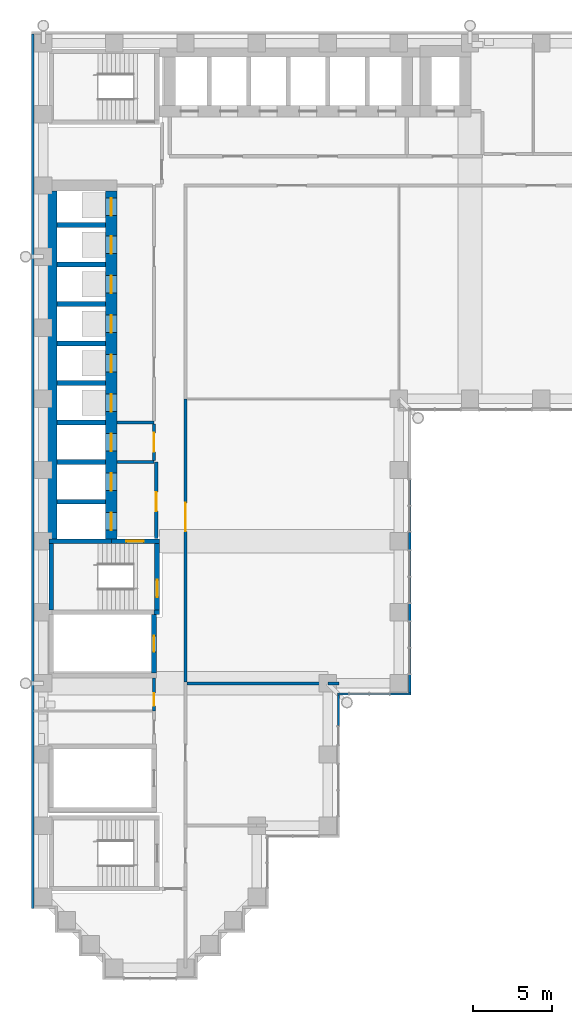
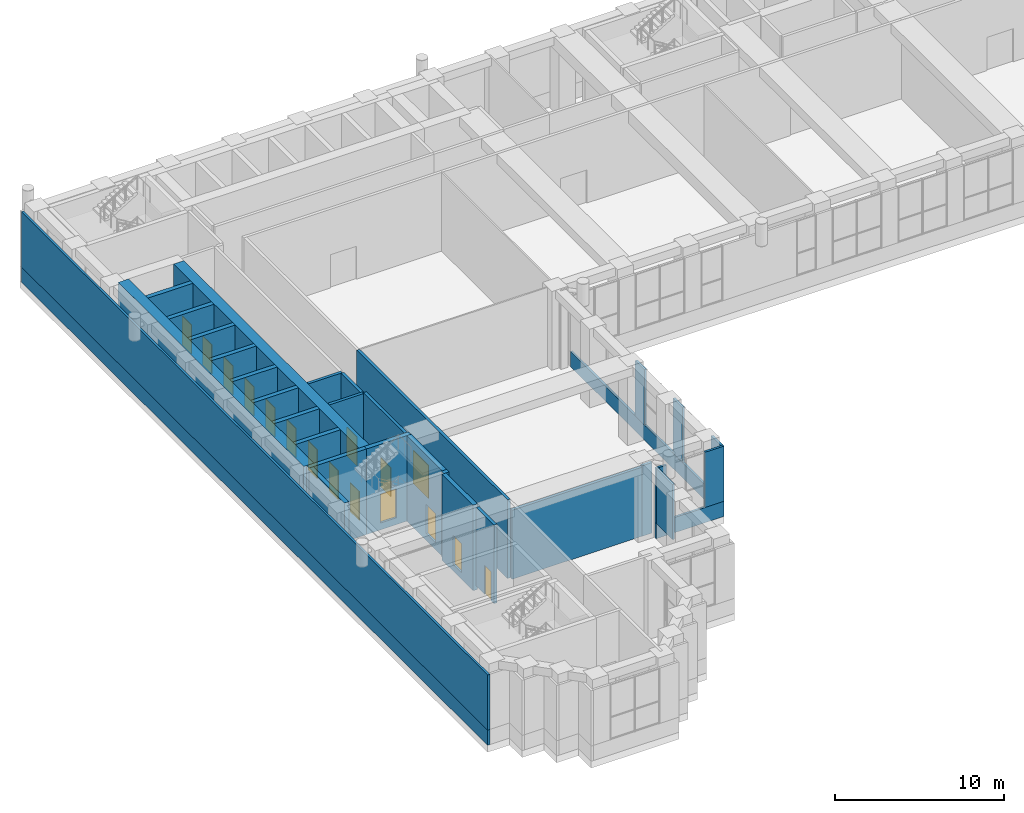
# One storey, part 14 of 22: 34 walls, 16 doors, 16 openings.
"""IFC4 building model written with IfcOpenShell, lengths in metres."""

from ifc_helpers import new_model, si_unit, direction, frame, frame_2d, origin, place, context, subcontext, project, spatial, rectangle, extrude, material, layer, layer_set, type_object, element, fill, save


model = new_model("IFC4")

# Units and contexts
model_context = context("Model", 3, precision=1e-05, world=origin(), true_north=direction((0.0, 1.0)))
body_context = subcontext(model_context, "Body", "Model", "MODEL_VIEW")
ifc_project = project(units=[si_unit("LENGTHUNIT", "METRE"), si_unit("AREAUNIT", "SQUARE_METRE"), si_unit("VOLUMEUNIT", "CUBIC_METRE"), si_unit("PLANEANGLEUNIT", "RADIAN"), si_unit("MASSUNIT", "GRAM", prefix="KILO")], contexts=[model_context])

# Site, building, storey
site_placement = place(None, origin())
site = spatial("IfcSite", under=ifc_project, at=site_placement, CompositionType="ELEMENT")
building_placement = place(site_placement, origin())
building = spatial("IfcBuilding", under=site, at=building_placement, Name="Firuza Court", CompositionType="ELEMENT")
storey_placement = place(building_placement, frame((0.0, 0.0, 113.60009765625)))
storey = spatial("IfcBuildingStorey", under=building, at=storey_placement, Name="L28", CompositionType="ELEMENT", Elevation=113.60009765625)

# Walls
ifc_material_1 = material(Name="Concrete C60/75", Category="concrete")
ifc_layer_1 = layer(ifc_material_1, 0.300048828125)
ifc_layer_set_1 = layer_set([ifc_layer_1], Name="Concrete C60/75")
wall_type_1 = type_object("IfcWallType", Name="Core wall 300 C60/75", PredefinedType="SHEAR", material=ifc_layer_set_1)
wall_1_placement = place(storey_placement, frame((0.35009765625, 27.0, -0.5), z_axis=(0.0, 0.0, 1.0), x_axis=(1.0, 0.0, 0.0)))
element("IfcWall", 1, at=wall_1_placement, inside=storey, type_object=wall_type_1, Name="Core wall lift shaft L28", PredefinedType="SHEAR", context=body_context, shape_type="SweptSolid", body=[
    extrude(rectangle(XDim=3.949951171875, YDim=0.300048828125, at=frame_2d((1.97509765625, 0.0))), origin(), (0.0, 0.0, 1.0), 6.199951171875),
])
wall_2_placement = place(storey_placement, frame((0.5, 22.64990234375, -0.5), z_axis=(0.0, 0.0, 1.0), x_axis=(0.0, 1.0, 0.0)))
element("IfcWall", 2, at=wall_2_placement, inside=storey, type_object=wall_type_1, Name="Core wall stair L28", PredefinedType="SHEAR", context=body_context, shape_type="SweptSolid", body=[
    extrude(rectangle(XDim=4.2001953125, YDim=0.300048828125, at=frame_2d((2.10009765625, 0.0))), origin(), (0.0, 0.0, 1.0), 6.199951171875),
])
for number, where, z_axis, x_axis, name in (
    (3, (0.85009765625, 29.5, -0.5), (0.0, 0.0, 1.0), (1.0, 0.0, 0.0), "Core wall lift shaft L28"),
    (4, (0.85009765625, 32.0, -0.5), (0.0, 0.0, 1.0), (1.0, 0.0, 0.0), "Core wall lift shaft L28"),
    (5, (0.85009765625, 34.5, -0.5), (0.0, 0.0, 1.0), (1.0, 0.0, 0.0), "Core wall lift shaft L28"),
    (6, (0.85009765625, 37.0, -0.5), (0.0, 0.0, 1.0), (1.0, 0.0, 0.0), "Core wall lift shaft L28"),
    (7, (0.85009765625, 39.5, -0.5), (0.0, 0.0, 1.0), (1.0, 0.0, 0.0), "Core wall lift shaft L28"),
    (8, (0.85009765625, 42.0, -0.5), (0.0, 0.0, 1.0), (1.0, 0.0, 0.0), "Core wall lift shaft L28"),
    (9, (0.85009765625, 44.5, -0.5), (0.0, 0.0, 1.0), (1.0, 0.0, 0.0), "Core wall lift shaft L28"),
    (10, (0.85009765625, 47.0, -0.5), (0.0, 0.0, 1.0), (1.0, 0.0, 0.0), "Core wall lift shaft L28"),
):
    element("IfcWall", number, at=place(storey_placement, frame(where, z_axis=z_axis, x_axis=x_axis)), inside=storey, type_object=wall_type_1, Name=name, PredefinedType="SHEAR", context=body_context, shape_type="SweptSolid", body=[
        extrude(rectangle(XDim=3.099853515625, YDim=0.300048828125, at=frame_2d((1.5498046875, 0.0))), origin(), (0.0, 0.0, 1.0), 6.199951171875),
    ])

# Wall, opening, door
wall_3_placement = place(storey_placement, frame((4.300048828125, 27.0, -0.5), z_axis=(0.0, 0.0, 1.0), x_axis=(1.0, 0.0, 0.0)))
wall_3 = element("IfcWall", 11, at=wall_3_placement, inside=storey, type_object=wall_type_1, Name="Core wall stair L28", PredefinedType="SHEAR", context=body_context, shape_type="SweptSolid", body=[
    extrude(rectangle(XDim=3.050048828125, YDim=0.300048828125, at=frame_2d((1.52490234375, 0.0))), origin(), (0.0, 0.0, 1.0), 6.199951171875),
])
opening_1_placement = place(wall_3_placement, frame((0.949951171875, 0.0, 0.5)))
opening_1 = element("IfcOpeningElement", 12, at=opening_1_placement, cuts=wall_3, Name="Opening D28016", PredefinedType="OPENING", context=body_context, shape_type="SweptSolid", body=[
    extrude(rectangle(XDim=1.10009765625, YDim=2.10009765625, at=frame_2d((0.550048828125, 1.050048828125))), frame((0.0, 0.162109375, 0.0), z_axis=(0.0, -1.0, 0.0), x_axis=(1.0, 0.0, 0.0)), (0.0, 0.0, 1.0), 0.323974609375),
])
ifc_material_2 = material(Name="Timber door leaf in hardwood frame", Category="wood")
door_type_1 = type_object("IfcDoorType", Name="Stair door 1100", OperationType="SINGLE_SWING_LEFT", PredefinedType="DOOR", material=ifc_material_2)
door_1_placement = place(opening_1_placement, frame((1.10009765625, 0.0, 0.0), z_axis=(0.0, 0.0, 1.0), x_axis=(-1.0, 0.0, 0.0)))
door_1 = element("IfcDoor", 13, at=door_1_placement, inside=storey, type_object=door_type_1, Name="Fire-fighting lobby door", OperationType="SINGLE_SWING_LEFT", OverallHeight=2.10009765625, OverallWidth=1.10009765625, PredefinedType="DOOR", context=body_context, shape_type="SweptSolid", body=[
    extrude(rectangle(XDim=1.10009765625, YDim=2.10009765625, at=frame_2d((0.550048828125, 1.050048828125))), frame((0.0, 0.02490234375, 0.0), z_axis=(0.0, -1.0, 0.0), x_axis=(1.0, 0.0, 0.0)), (0.0, 0.0, 1.0), 0.050048828125),
])
fill(opening_1, door_1)

wall_4_placement = place(storey_placement, frame((7.0, 18.64990234375, -0.5), z_axis=(0.0, 0.0, 1.0), x_axis=(0.0, 1.0, 0.0)))
wall_4 = element("IfcWall", 14, at=wall_4_placement, inside=storey, type_object=wall_type_1, Name="Core wall riser L28", PredefinedType="SHEAR", context=body_context, shape_type="SweptSolid", body=[
    extrude(rectangle(XDim=3.7001953125, YDim=0.300048828125, at=frame_2d((1.85009765625, 0.0))), origin(), (0.0, 0.0, 1.0), 6.199951171875),
])
opening_2_placement = place(wall_4_placement, frame((1.35009765625, 0.0, 0.5)))
opening_2 = element("IfcOpeningElement", 15, at=opening_2_placement, cuts=wall_4, Name="Opening D28012", PredefinedType="OPENING", context=body_context, shape_type="SweptSolid", body=[
    extrude(rectangle(XDim=1.0, YDim=2.10009765625, at=frame_2d((0.5, 1.050048828125))), frame((0.0, 0.162109375, 0.0), z_axis=(0.0, -1.0, 0.0), x_axis=(1.0, 0.0, 0.0)), (0.0, 0.0, 1.0), 0.323974609375),
])
ifc_material_3 = material(Name="Timber door leaf in hardwood frame", Category="wood")
door_type_2 = type_object("IfcDoorType", Name="Riser door 1000", OperationType="SINGLE_SWING_LEFT", PredefinedType="DOOR", material=ifc_material_3)
door_2_placement = place(opening_2_placement, origin())
door_2 = element("IfcDoor", 16, at=door_2_placement, inside=storey, type_object=door_type_2, Name="Riser door R1", OperationType="SINGLE_SWING_LEFT", OverallHeight=2.10009765625, OverallWidth=1.0, PredefinedType="DOOR", context=body_context, shape_type="SweptSolid", body=[
    extrude(rectangle(XDim=1.0, YDim=2.10009765625, at=frame_2d((0.5, 1.050048828125))), frame((0.0, 0.02490234375, 0.0), z_axis=(0.0, -1.0, 0.0), x_axis=(1.0, 0.0, 0.0)), (0.0, 0.0, 1.0), 0.050048828125),
])
fill(opening_2, door_2)

# Wall
wall_5_placement = place(storey_placement, frame((7.0, 22.5, -0.5), z_axis=(0.0, 0.0, 1.0), x_axis=(1.0, 0.0, 0.0)))
element("IfcWall", 17, at=wall_5_placement, inside=storey, type_object=wall_type_1, Name="Core wall stair L28", PredefinedType="SHEAR", context=body_context, shape_type="SweptSolid", body=[
    extrude(rectangle(XDim=0.35009765625, YDim=0.300048828125, at=frame_2d((0.175048828125, 0.0))), origin(), (0.0, 0.0, 1.0), 6.199951171875),
])

# Wall, opening, door
wall_6_placement = place(storey_placement, frame((7.199951171875, 22.64990234375, -0.5), z_axis=(0.0, 0.0, 1.0), x_axis=(0.0, 1.0, 0.0)))
wall_6 = element("IfcWall", 18, at=wall_6_placement, inside=storey, type_object=wall_type_1, Name="Core wall stair L28", PredefinedType="SHEAR", context=body_context, shape_type="SweptSolid", body=[
    extrude(rectangle(XDim=4.2001953125, YDim=0.300048828125, at=frame_2d((2.10009765625, 0.0))), origin(), (0.0, 0.0, 1.0), 6.199951171875),
])
opening_3_placement = place(wall_6_placement, frame((0.800048828125, 0.0, 0.5)))
opening_3 = element("IfcOpeningElement", 19, at=opening_3_placement, cuts=wall_6, Name="Opening D28017", PredefinedType="OPENING", context=body_context, shape_type="SweptSolid", body=[
    extrude(rectangle(XDim=1.10009765625, YDim=2.10009765625, at=frame_2d((0.550048828125, 1.050048828125))), frame((0.0, 0.162109375, 0.0), z_axis=(0.0, -1.0, 0.0), x_axis=(1.0, 0.0, 0.0)), (0.0, 0.0, 1.0), 0.323974609375),
])
door_3_placement = place(opening_3_placement, origin())
door_3 = element("IfcDoor", 20, at=door_3_placement, inside=storey, type_object=door_type_1, Name="Stair door S2", OperationType="SINGLE_SWING_LEFT", OverallHeight=2.10009765625, OverallWidth=1.10009765625, PredefinedType="DOOR", context=body_context, shape_type="SweptSolid", body=[
    extrude(rectangle(XDim=1.10009765625, YDim=2.10009765625, at=frame_2d((0.550048828125, 1.050048828125))), frame((0.0, 0.02490234375, 0.0), z_axis=(0.0, -1.0, 0.0), x_axis=(1.0, 0.0, 0.0)), (0.0, 0.0, 1.0), 0.050048828125),
])
fill(opening_3, door_3)

# Wall
ifc_layer_2 = layer(ifc_material_1, 0.699951171875)
ifc_layer_set_2 = layer_set([ifc_layer_2], Name="Concrete C60/75")
wall_type_2 = type_object("IfcWallType", Name="Core wall 700 C60/75", PredefinedType="SHEAR", material=ifc_layer_set_2)
wall_7_placement = place(storey_placement, frame((0.5, 27.14990234375, -0.5), z_axis=(0.0, 0.0, 1.0), x_axis=(0.0, 1.0, 0.0)))
element("IfcWall", 21, at=wall_7_placement, inside=storey, type_object=wall_type_2, Name="Core wall lift shaft L28", PredefinedType="SHEAR", context=body_context, shape_type="SweptSolid", body=[
    extrude(rectangle(XDim=22.0, YDim=0.699951171875, at=frame_2d((11.0, 0.0))), origin(), (0.0, 0.0, 1.0), 6.199951171875),
])

# Wall, openings, doors
wall_8_placement = place(storey_placement, frame((4.300048828125, 27.14990234375, -0.5), z_axis=(0.0, 0.0, 1.0), x_axis=(0.0, 1.0, 0.0)))
wall_8 = element("IfcWall", 22, at=wall_8_placement, inside=storey, type_object=wall_type_2, Name="Core wall lift shaft L28", PredefinedType="SHEAR", context=body_context, shape_type="SweptSolid", body=[
    extrude(rectangle(XDim=22.0, YDim=0.699951171875, at=frame_2d((11.0, 0.0))), origin(), (0.0, 0.0, 1.0), 6.199951171875),
])
opening_4_placement = place(wall_8_placement, frame((3.050048828125, 0.0, 0.5)))
opening_4 = element("IfcOpeningElement", 23, at=opening_4_placement, cuts=wall_8, Name="Opening LD-FL1-28", PredefinedType="OPENING", context=body_context, shape_type="SweptSolid", body=[
    extrude(rectangle(XDim=1.10009765625, YDim=2.10009765625, at=frame_2d((0.550048828125, 1.050048828125))), frame((0.0, 0.36181640625, 0.0), z_axis=(0.0, -1.0, 0.0), x_axis=(1.0, 0.0, 0.0)), (0.0, 0.0, 1.0), 0.723876953125),
])
opening_5_placement = place(wall_8_placement, frame((0.550048828125, 0.0, 0.5)))
opening_5 = element("IfcOpeningElement", 24, at=opening_5_placement, cuts=wall_8, Name="Opening LD-FL2-28", PredefinedType="OPENING", context=body_context, shape_type="SweptSolid", body=[
    extrude(rectangle(XDim=1.10009765625, YDim=2.10009765625, at=frame_2d((0.550048828125, 1.050048828125))), frame((0.0, 0.36181640625, 0.0), z_axis=(0.0, -1.0, 0.0), x_axis=(1.0, 0.0, 0.0)), (0.0, 0.0, 1.0), 0.723876953125),
])
opening_6_placement = place(wall_8_placement, frame((20.449951171875, 0.0, 0.5)))
opening_6 = element("IfcOpeningElement", 25, at=opening_6_placement, cuts=wall_8, Name="Opening LD-HB1-28", PredefinedType="OPENING", context=body_context, shape_type="SweptSolid", body=[
    extrude(rectangle(XDim=1.10009765625, YDim=2.10009765625, at=frame_2d((0.550048828125, 1.050048828125))), frame((0.0, 0.36181640625, 0.0), z_axis=(0.0, -1.0, 0.0), x_axis=(1.0, 0.0, 0.0)), (0.0, 0.0, 1.0), 0.723876953125),
])
opening_7_placement = place(wall_8_placement, frame((18.050048828125, 0.0, 0.5)))
opening_7 = element("IfcOpeningElement", 26, at=opening_7_placement, cuts=wall_8, Name="Opening LD-HB2-28", PredefinedType="OPENING", context=body_context, shape_type="SweptSolid", body=[
    extrude(rectangle(XDim=1.10009765625, YDim=2.10009765625, at=frame_2d((0.550048828125, 1.050048828125))), frame((0.0, 0.36181640625, 0.0), z_axis=(0.0, -1.0, 0.0), x_axis=(1.0, 0.0, 0.0)), (0.0, 0.0, 1.0), 0.723876953125),
])
opening_8_placement = place(wall_8_placement, frame((15.550048828125, 0.0, 0.5)))
opening_8 = element("IfcOpeningElement", 27, at=opening_8_placement, cuts=wall_8, Name="Opening LD-HB3-28", PredefinedType="OPENING", context=body_context, shape_type="SweptSolid", body=[
    extrude(rectangle(XDim=1.10009765625, YDim=2.10009765625, at=frame_2d((0.550048828125, 1.050048828125))), frame((0.0, 0.36181640625, 0.0), z_axis=(0.0, -1.0, 0.0), x_axis=(1.0, 0.0, 0.0)), (0.0, 0.0, 1.0), 0.723876953125),
])
opening_9_placement = place(wall_8_placement, frame((13.050048828125, 0.0, 0.5)))
opening_9 = element("IfcOpeningElement", 28, at=opening_9_placement, cuts=wall_8, Name="Opening LD-HB4-28", PredefinedType="OPENING", context=body_context, shape_type="SweptSolid", body=[
    extrude(rectangle(XDim=1.10009765625, YDim=2.10009765625, at=frame_2d((0.550048828125, 1.050048828125))), frame((0.0, 0.36181640625, 0.0), z_axis=(0.0, -1.0, 0.0), x_axis=(1.0, 0.0, 0.0)), (0.0, 0.0, 1.0), 0.723876953125),
])
opening_10_placement = place(wall_8_placement, frame((10.550048828125, 0.0, 0.5)))
opening_10 = element("IfcOpeningElement", 29, at=opening_10_placement, cuts=wall_8, Name="Opening LD-HB5-28", PredefinedType="OPENING", context=body_context, shape_type="SweptSolid", body=[
    extrude(rectangle(XDim=1.10009765625, YDim=2.10009765625, at=frame_2d((0.550048828125, 1.050048828125))), frame((0.0, 0.36181640625, 0.0), z_axis=(0.0, -1.0, 0.0), x_axis=(1.0, 0.0, 0.0)), (0.0, 0.0, 1.0), 0.723876953125),
])
opening_11_placement = place(wall_8_placement, frame((8.050048828125, 0.0, 0.5)))
opening_11 = element("IfcOpeningElement", 30, at=opening_11_placement, cuts=wall_8, Name="Opening LD-HB6-28", PredefinedType="OPENING", context=body_context, shape_type="SweptSolid", body=[
    extrude(rectangle(XDim=1.10009765625, YDim=2.10009765625, at=frame_2d((0.550048828125, 1.050048828125))), frame((0.0, 0.36181640625, 0.0), z_axis=(0.0, -1.0, 0.0), x_axis=(1.0, 0.0, 0.0)), (0.0, 0.0, 1.0), 0.723876953125),
])
opening_12_placement = place(wall_8_placement, frame((5.550048828125, 0.0, 0.5)))
opening_12 = element("IfcOpeningElement", 31, at=opening_12_placement, cuts=wall_8, Name="Opening LD-SL1-28", PredefinedType="OPENING", context=body_context, shape_type="SweptSolid", body=[
    extrude(rectangle(XDim=1.10009765625, YDim=2.10009765625, at=frame_2d((0.550048828125, 1.050048828125))), frame((0.0, 0.36181640625, 0.0), z_axis=(0.0, -1.0, 0.0), x_axis=(1.0, 0.0, 0.0)), (0.0, 0.0, 1.0), 0.723876953125),
])
ifc_material_4 = material(Name="Stainless steel 1.4301 door leaf", Category="steel")
door_type_3 = type_object("IfcDoorType", Name="Lift landing door 1100", OperationType="SLIDING_TO_LEFT", PredefinedType="DOOR", material=ifc_material_4)
door_4_placement = place(opening_4_placement, origin())
door_4 = element("IfcDoor", 32, at=door_4_placement, inside=storey, type_object=door_type_3, Name="Landing door FL1", OperationType="SLIDING_TO_LEFT", OverallHeight=2.10009765625, OverallWidth=1.10009765625, PredefinedType="DOOR", context=body_context, shape_type="SweptSolid", body=[
    extrude(rectangle(XDim=1.10009765625, YDim=2.10009765625, at=frame_2d((0.550048828125, 1.050048828125))), frame((0.0, 0.02490234375, 0.0), z_axis=(0.0, -1.0, 0.0), x_axis=(1.0, 0.0, 0.0)), (0.0, 0.0, 1.0), 0.050048828125),
])
fill(opening_4, door_4)
door_5_placement = place(opening_5_placement, origin())
door_5 = element("IfcDoor", 33, at=door_5_placement, inside=storey, type_object=door_type_3, Name="Landing door FL2", OperationType="SLIDING_TO_LEFT", OverallHeight=2.10009765625, OverallWidth=1.10009765625, PredefinedType="DOOR", context=body_context, shape_type="SweptSolid", body=[
    extrude(rectangle(XDim=1.10009765625, YDim=2.10009765625, at=frame_2d((0.550048828125, 1.050048828125))), frame((0.0, 0.02490234375, 0.0), z_axis=(0.0, -1.0, 0.0), x_axis=(1.0, 0.0, 0.0)), (0.0, 0.0, 1.0), 0.050048828125),
])
fill(opening_5, door_5)
door_6_placement = place(opening_6_placement, origin())
door_6 = element("IfcDoor", 34, at=door_6_placement, inside=storey, type_object=door_type_3, Name="Landing door HB1", OperationType="SLIDING_TO_LEFT", OverallHeight=2.10009765625, OverallWidth=1.10009765625, PredefinedType="DOOR", context=body_context, shape_type="SweptSolid", body=[
    extrude(rectangle(XDim=1.10009765625, YDim=2.10009765625, at=frame_2d((0.550048828125, 1.050048828125))), frame((0.0, 0.02490234375, 0.0), z_axis=(0.0, -1.0, 0.0), x_axis=(1.0, 0.0, 0.0)), (0.0, 0.0, 1.0), 0.050048828125),
])
fill(opening_6, door_6)
door_7_placement = place(opening_7_placement, origin())
door_7 = element("IfcDoor", 35, at=door_7_placement, inside=storey, type_object=door_type_3, Name="Landing door HB2", OperationType="SLIDING_TO_LEFT", OverallHeight=2.10009765625, OverallWidth=1.10009765625, PredefinedType="DOOR", context=body_context, shape_type="SweptSolid", body=[
    extrude(rectangle(XDim=1.10009765625, YDim=2.10009765625, at=frame_2d((0.550048828125, 1.050048828125))), frame((0.0, 0.02490234375, 0.0), z_axis=(0.0, -1.0, 0.0), x_axis=(1.0, 0.0, 0.0)), (0.0, 0.0, 1.0), 0.050048828125),
])
fill(opening_7, door_7)
door_8_placement = place(opening_8_placement, origin())
door_8 = element("IfcDoor", 36, at=door_8_placement, inside=storey, type_object=door_type_3, Name="Landing door HB3", OperationType="SLIDING_TO_LEFT", OverallHeight=2.10009765625, OverallWidth=1.10009765625, PredefinedType="DOOR", context=body_context, shape_type="SweptSolid", body=[
    extrude(rectangle(XDim=1.10009765625, YDim=2.10009765625, at=frame_2d((0.550048828125, 1.050048828125))), frame((0.0, 0.02490234375, 0.0), z_axis=(0.0, -1.0, 0.0), x_axis=(1.0, 0.0, 0.0)), (0.0, 0.0, 1.0), 0.050048828125),
])
fill(opening_8, door_8)
door_9_placement = place(opening_9_placement, origin())
door_9 = element("IfcDoor", 37, at=door_9_placement, inside=storey, type_object=door_type_3, Name="Landing door HB4", OperationType="SLIDING_TO_LEFT", OverallHeight=2.10009765625, OverallWidth=1.10009765625, PredefinedType="DOOR", context=body_context, shape_type="SweptSolid", body=[
    extrude(rectangle(XDim=1.10009765625, YDim=2.10009765625, at=frame_2d((0.550048828125, 1.050048828125))), frame((0.0, 0.02490234375, 0.0), z_axis=(0.0, -1.0, 0.0), x_axis=(1.0, 0.0, 0.0)), (0.0, 0.0, 1.0), 0.050048828125),
])
fill(opening_9, door_9)
door_10_placement = place(opening_10_placement, origin())
door_10 = element("IfcDoor", 38, at=door_10_placement, inside=storey, type_object=door_type_3, Name="Landing door HB5", OperationType="SLIDING_TO_LEFT", OverallHeight=2.10009765625, OverallWidth=1.10009765625, PredefinedType="DOOR", context=body_context, shape_type="SweptSolid", body=[
    extrude(rectangle(XDim=1.10009765625, YDim=2.10009765625, at=frame_2d((0.550048828125, 1.050048828125))), frame((0.0, 0.02490234375, 0.0), z_axis=(0.0, -1.0, 0.0), x_axis=(1.0, 0.0, 0.0)), (0.0, 0.0, 1.0), 0.050048828125),
])
fill(opening_10, door_10)
door_11_placement = place(opening_11_placement, origin())
door_11 = element("IfcDoor", 39, at=door_11_placement, inside=storey, type_object=door_type_3, Name="Landing door HB6", OperationType="SLIDING_TO_LEFT", OverallHeight=2.10009765625, OverallWidth=1.10009765625, PredefinedType="DOOR", context=body_context, shape_type="SweptSolid", body=[
    extrude(rectangle(XDim=1.10009765625, YDim=2.10009765625, at=frame_2d((0.550048828125, 1.050048828125))), frame((0.0, 0.02490234375, 0.0), z_axis=(0.0, -1.0, 0.0), x_axis=(1.0, 0.0, 0.0)), (0.0, 0.0, 1.0), 0.050048828125),
])
fill(opening_11, door_11)
door_12_placement = place(opening_12_placement, origin())
door_12 = element("IfcDoor", 40, at=door_12_placement, inside=storey, type_object=door_type_3, Name="Landing door SL1", OperationType="SLIDING_TO_LEFT", OverallHeight=2.10009765625, OverallWidth=1.10009765625, PredefinedType="DOOR", context=body_context, shape_type="SweptSolid", body=[
    extrude(rectangle(XDim=1.10009765625, YDim=2.10009765625, at=frame_2d((0.550048828125, 1.050048828125))), frame((0.0, 0.02490234375, 0.0), z_axis=(0.0, -1.0, 0.0), x_axis=(1.0, 0.0, 0.0)), (0.0, 0.0, 1.0), 0.050048828125),
])
fill(opening_12, door_12)

# Wall, opening, door
ifc_material_5 = material(Name="Blockwork, plastered both sides", Category="masonry")
ifc_layer_3 = layer(ifc_material_5, 0.199951171875)
ifc_layer_set_3 = layer_set([ifc_layer_3], Name="Blockwork, plastered both sides")
wall_type_3 = type_object("IfcWallType", Name="Corridor wall 200", PredefinedType="PARTITIONING", material=ifc_layer_set_3)
wall_9_placement = place(storey_placement, frame((9.0, 18.10009765625, 0.0), z_axis=(0.0, 0.0, 1.0), x_axis=(0.0, 1.0, 0.0)))
wall_9 = element("IfcWall", 41, at=wall_9_placement, inside=storey, type_object=wall_type_3, Name="Corridor wall 200 L28", PredefinedType="PARTITIONING", context=body_context, shape_type="SweptSolid", body=[
    extrude(rectangle(XDim=17.89990234375, YDim=0.199951171875, at=frame_2d((8.949951171875, 0.0))), origin(), (0.0, 0.0, 1.0), 5.699951171875),
])
opening_13_placement = place(wall_9_placement, frame((9.52490234375, 0.0, 0.0)))
opening_13 = element("IfcOpeningElement", 42, at=opening_13_placement, cuts=wall_9, Name="Opening D28025", PredefinedType="OPENING", context=body_context, shape_type="SweptSolid", body=[
    extrude(rectangle(XDim=1.800048828125, YDim=2.39990234375, at=frame_2d((0.89990234375, 1.199951171875))), frame((0.0, 0.11181640625, 0.0), z_axis=(0.0, -1.0, 0.0), x_axis=(1.0, 0.0, 0.0)), (0.0, 0.0, 1.0), 0.223876953125),
])
ifc_material_6 = material(Name="Timber door leaf in hardwood frame", Category="wood")
door_type_4 = type_object("IfcDoorType", Name="Double door 1800 EI 30", OperationType="DOUBLE_DOOR_SINGLE_SWING", PredefinedType="DOOR", material=ifc_material_6)
door_13_placement = place(opening_13_placement, origin())
door_13 = element("IfcDoor", 43, at=door_13_placement, inside=storey, type_object=door_type_4, Name="Double door", OperationType="DOUBLE_DOOR_SINGLE_SWING", OverallHeight=2.39990234375, OverallWidth=1.800048828125, PredefinedType="DOOR", context=body_context, shape_type="SweptSolid", body=[
    extrude(rectangle(XDim=1.800048828125, YDim=2.39990234375, at=frame_2d((0.89990234375, 1.199951171875))), frame((0.0, 0.02490234375, 0.0), z_axis=(0.0, -1.0, 0.0), x_axis=(1.0, 0.0, 0.0)), (0.0, 0.0, 1.0), 0.050048828125),
])
fill(opening_13, door_13)

wall_10_placement = place(storey_placement, frame((7.0, 18.35009765625, 0.0), z_axis=(0.0, 0.0, 1.0), x_axis=(0.0, -1.0, 0.0)))
wall_10 = element("IfcWall", 44, at=wall_10_placement, inside=storey, type_object=wall_type_3, Name="Corridor wall 200 L28", PredefinedType="PARTITIONING", context=body_context, shape_type="SweptSolid", body=[
    extrude(rectangle(XDim=2.10009765625, YDim=0.199951171875, at=frame_2d((1.050048828125, 0.0))), origin(), (0.0, 0.0, 1.0), 5.699951171875),
])
opening_14_placement = place(wall_10_placement, frame((0.97509765625, 0.0, 0.0)))
opening_14 = element("IfcOpeningElement", 45, at=opening_14_placement, cuts=wall_10, Name="Opening D28026", PredefinedType="OPENING", context=body_context, shape_type="SweptSolid", body=[
    extrude(rectangle(XDim=0.800048828125, YDim=2.10009765625, at=frame_2d((0.39990234375, 1.050048828125))), frame((0.0, 0.11181640625, 0.0), z_axis=(0.0, -1.0, 0.0), x_axis=(1.0, 0.0, 0.0)), (0.0, 0.0, 1.0), 0.223876953125),
])
ifc_material_7 = material(Name="Timber door leaf in hardwood frame", Category="wood")
door_type_5 = type_object("IfcDoorType", Name="Room door 800 EI 30", OperationType="SINGLE_SWING_LEFT", PredefinedType="DOOR", material=ifc_material_7)
door_14_placement = place(opening_14_placement, frame((0.800048828125, 0.0, 0.0), z_axis=(0.0, 0.0, 1.0), x_axis=(-1.0, 0.0, 0.0)))
door_14 = element("IfcDoor", 46, at=door_14_placement, inside=storey, type_object=door_type_5, Name="Room door", OperationType="SINGLE_SWING_LEFT", OverallHeight=2.10009765625, OverallWidth=0.800048828125, PredefinedType="DOOR", context=body_context, shape_type="SweptSolid", body=[
    extrude(rectangle(XDim=0.800048828125, YDim=2.10009765625, at=frame_2d((0.39990234375, 1.050048828125))), frame((0.0, 0.02490234375, 0.0), z_axis=(0.0, -1.0, 0.0), x_axis=(1.0, 0.0, 0.0)), (0.0, 0.0, 1.0), 0.050048828125),
])
fill(opening_14, door_14)

# Walls
ifc_material_8 = material(Name="Blockwork, fire-rated", Category="masonry")
ifc_layer_4 = layer(ifc_material_8, 0.199951171875)
ifc_layer_set_4 = layer_set([ifc_layer_4], Name="Blockwork, fire-rated")
wall_type_4 = type_object("IfcWallType", Name="Plant room wall 200", PredefinedType="PARTITIONING", material=ifc_layer_set_4)
wall_11_placement = place(storey_placement, frame((18.0, 18.0, 0.0), z_axis=(0.0, 0.0, 1.0), x_axis=(-1.0, 0.0, 0.0)))
element("IfcWall", 47, at=wall_11_placement, inside=storey, type_object=wall_type_4, Name="Plant room wall 200 L28", PredefinedType="PARTITIONING", context=body_context, shape_type="SweptSolid", body=[
    extrude(rectangle(XDim=8.89990234375, YDim=0.199951171875, at=frame_2d((4.449951171875, 0.0))), origin(), (0.0, 0.0, 1.0), 5.0),
])
wall_12_placement = place(storey_placement, frame((18.699951171875, 18.0, 0.0), z_axis=(0.0, 0.0, 1.0), x_axis=(-1.0, 0.0, 0.0)))
element("IfcWall", 48, at=wall_12_placement, inside=storey, type_object=wall_type_4, Name="Plant room wall 200 L28", PredefinedType="PARTITIONING", context=body_context, shape_type="SweptSolid", body=[
    extrude(rectangle(XDim=0.699951171875, YDim=0.199951171875, at=frame_2d((0.35009765625, 0.0))), origin(), (0.0, 0.0, 1.0), 5.099853515625),
])
ifc_material_9 = material(Name="Ceramic tile", Category="ceramic")
ifc_layer_5 = layer(ifc_material_9, 0.02001953125)
ifc_material_10 = material(Name="Mineral wool insulation", Category="insulation")
ifc_layer_6 = layer(ifc_material_10, 0.050048828125)
ifc_material_11 = material(Name="Concrete C40/50 precast", Category="concrete")
ifc_layer_7 = layer(ifc_material_11, 0.080078125)
ifc_layer_set_5 = layer_set([ifc_layer_5, ifc_layer_6, ifc_layer_7], Name="Concrete C40/50 precast")
wall_type_5 = type_object("IfcWallType", Name="Precast cladding wall with turquoise TILE PANEL face 150", PredefinedType="STANDARD", material=ifc_layer_set_5)
wall_13_placement = place(storey_placement, frame((18.60009765625, 17.324951171875, 0.0), z_axis=(0.0, 0.0, 1.0), x_axis=(1.0, 0.0, 0.0)))
element("IfcWall", 49, at=wall_13_placement, inside=storey, type_object=wall_type_5, Name="Facade kerb wall L28 S", PredefinedType="STANDARD", context=body_context, shape_type="SweptSolid", body=[
    extrude(rectangle(XDim=4.64990234375, YDim=0.14990234375, at=frame_2d((2.324951171875, 0.0))), origin(), (0.0, 0.0, 1.0), 1.099853515625),
])
wall_14_placement = place(storey_placement, frame((23.175048828125, 17.39990234375, 0.0), z_axis=(0.0, 0.0, 1.0), x_axis=(0.0, 1.0, 0.0)))
element("IfcWall", 50, at=wall_14_placement, inside=storey, type_object=wall_type_5, Name="Facade kerb wall L28 E", PredefinedType="STANDARD", context=body_context, shape_type="SweptSolid", body=[
    extrude(rectangle(XDim=17.85009765625, YDim=0.14990234375, at=frame_2d((8.925048828125, 0.0))), origin(), (0.0, 0.0, 1.0), 1.099853515625),
])
wall_15_placement = place(storey_placement, frame((-0.675048828125, 59.10009765625, 0.0), z_axis=(0.0, 0.0, 1.0), x_axis=(0.0, -1.0, 0.0)))
element("IfcWall", 51, at=wall_15_placement, inside=storey, type_object=wall_type_5, Name="Facade kerb wall L28 W", PredefinedType="STANDARD", context=body_context, shape_type="SweptSolid", body=[
    extrude(rectangle(XDim=55.35009765625, YDim=0.14990234375, at=frame_2d((27.675048828125, 0.0))), origin(), (0.0, 0.0, 1.0), 1.099853515625),
])
wall_16_placement = place(storey_placement, frame((18.675048828125, 15.327880859375, 1.099853515625), z_axis=(0.0, 0.0, 1.0), x_axis=(0.0, 1.0, 0.0)))
element("IfcWall", 52, at=wall_16_placement, inside=storey, type_object=wall_type_5, Name="Facade wall L28 E", PredefinedType="STANDARD", context=body_context, shape_type="SweptSolid", body=[
    extrude(rectangle(XDim=1.922119140625, YDim=0.14990234375, at=frame_2d((0.9609375, 0.0))), origin(), (0.0, 0.0, 1.0), 4.0),
])
wall_17_placement = place(storey_placement, frame((18.60009765625, 17.324951171875, 1.099853515625), z_axis=(0.0, 0.0, 1.0), x_axis=(1.0, 0.0, 0.0)))
element("IfcWall", 53, at=wall_17_placement, inside=storey, type_object=wall_type_5, Name="Facade wall L28 S", PredefinedType="STANDARD", context=body_context, shape_type="SweptSolid", body=[
    extrude(rectangle(XDim=0.712890625, YDim=0.14990234375, at=frame_2d((0.3564453125, 0.0))), origin(), (0.0, 0.0, 1.0), 4.0),
])
wall_18_placement = place(storey_placement, frame((21.949951171875, 17.324951171875, 1.099853515625), z_axis=(0.0, 0.0, 1.0), x_axis=(1.0, 0.0, 0.0)))
element("IfcWall", 54, at=wall_18_placement, inside=storey, type_object=wall_type_5, Name="Facade wall L28 S", PredefinedType="STANDARD", context=body_context, shape_type="SweptSolid", body=[
    extrude(rectangle(XDim=1.300048828125, YDim=0.14990234375, at=frame_2d((0.64990234375, 0.0))), origin(), (0.0, 0.0, 1.0), 4.0),
])
wall_19_placement = place(storey_placement, frame((23.175048828125, 17.39990234375, 1.099853515625), z_axis=(0.0, 0.0, 1.0), x_axis=(0.0, 1.0, 0.0)))
element("IfcWall", 55, at=wall_19_placement, inside=storey, type_object=wall_type_5, Name="Facade wall L28 E", PredefinedType="STANDARD", context=body_context, shape_type="SweptSolid", body=[
    extrude(rectangle(XDim=1.150146484375, YDim=0.14990234375, at=frame_2d((0.5751953125, 0.0))), origin(), (0.0, 0.0, 1.0), 4.0),
])
for number, where, z_axis, x_axis, name in (
    (56, (23.175048828125, 21.949951171875, 1.099853515625), (0.0, 0.0, 1.0), (0.0, 1.0, 0.0), "Facade wall L28 E"),
    (57, (23.175048828125, 26.449951171875, 1.099853515625), (0.0, 0.0, 1.0), (0.0, 1.0, 0.0), "Facade wall L28 E"),
):
    element("IfcWall", number, at=place(storey_placement, frame(where, z_axis=z_axis, x_axis=x_axis)), inside=storey, type_object=wall_type_5, Name=name, PredefinedType="STANDARD", context=body_context, shape_type="SweptSolid", body=[
        extrude(rectangle(XDim=1.10009765625, YDim=0.14990234375, at=frame_2d((0.550048828125, 0.0))), origin(), (0.0, 0.0, 1.0), 4.0),
    ])
wall_20_placement = place(storey_placement, frame((-0.675048828125, 59.10009765625, 1.099853515625), z_axis=(0.0, 0.0, 1.0), x_axis=(0.0, -1.0, 0.0)))
element("IfcWall", 58, at=wall_20_placement, inside=storey, type_object=wall_type_5, Name="Facade wall L28 W", PredefinedType="STANDARD", context=body_context, shape_type="SweptSolid", body=[
    extrude(rectangle(XDim=55.35009765625, YDim=0.14990234375, at=frame_2d((27.675048828125, 0.0))), origin(), (0.0, 0.0, 1.0), 4.0),
])
ifc_layer_8 = layer(ifc_material_8, 0.199951171875)
ifc_layer_set_6 = layer_set([ifc_layer_8], Name="Blockwork, fire-rated")
wall_type_6 = type_object("IfcWallType", Name="Shaft wall 200", PredefinedType="PARTITIONING", material=ifc_layer_set_6)
for number, where, z_axis, x_axis, name in (
    (59, (4.669921875, 34.5, 0.0), (0.0, 0.0, 1.0), (1.0, 0.0, 0.0), "Shaft wall 200 L28"),
    (60, (4.669921875, 32.0, 0.0), (0.0, 0.0, 1.0), (1.0, 0.0, 0.0), "Shaft wall 200 L28"),
):
    element("IfcWall", number, at=place(storey_placement, frame(where, z_axis=z_axis, x_axis=x_axis)), inside=storey, type_object=wall_type_6, Name=name, PredefinedType="PARTITIONING", context=body_context, shape_type="SweptSolid", body=[
        extrude(rectangle(XDim=2.330078125, YDim=0.199951171875, at=frame_2d((1.1650390625, 0.0))), origin(), (0.0, 0.0, 1.0), 5.699951171875),
    ])

# Wall, opening, door
wall_21_placement = place(storey_placement, frame((7.0, 32.10009765625, 0.0), z_axis=(0.0, 0.0, 1.0), x_axis=(0.0, 1.0, 0.0)))
wall_21 = element("IfcWall", 61, at=wall_21_placement, inside=storey, type_object=wall_type_6, Name="Shaft wall 200 L28", PredefinedType="PARTITIONING", context=body_context, shape_type="SweptSolid", body=[
    extrude(rectangle(XDim=2.2998046875, YDim=0.199951171875, at=frame_2d((1.14990234375, 0.0))), origin(), (0.0, 0.0, 1.0), 5.699951171875),
])
opening_15_placement = place(wall_21_placement, frame((0.550048828125, 0.0, 0.0)))
opening_15 = element("IfcOpeningElement", 62, at=opening_15_placement, cuts=wall_21, Name="Opening D28010", PredefinedType="OPENING", context=body_context, shape_type="SweptSolid", body=[
    extrude(rectangle(XDim=1.199951171875, YDim=2.10009765625, at=frame_2d((0.60009765625, 1.050048828125))), frame((0.0, 0.11181640625, 0.0), z_axis=(0.0, -1.0, 0.0), x_axis=(1.0, 0.0, 0.0)), (0.0, 0.0, 1.0), 0.223876953125),
])
ifc_material_12 = material(Name="Timber door leaf in hardwood frame", Category="wood")
door_type_6 = type_object("IfcDoorType", Name="Lobby door 1200", OperationType="SINGLE_SWING_LEFT", PredefinedType="DOOR", material=ifc_material_12)
door_15_placement = place(opening_15_placement, origin())
door_15 = element("IfcDoor", 63, at=door_15_placement, inside=storey, type_object=door_type_6, Name="Lobby door", OperationType="SINGLE_SWING_LEFT", OverallHeight=2.10009765625, OverallWidth=1.199951171875, PredefinedType="DOOR", context=body_context, shape_type="SweptSolid", body=[
    extrude(rectangle(XDim=1.199951171875, YDim=2.10009765625, at=frame_2d((0.60009765625, 1.050048828125))), frame((0.0, 0.02490234375, 0.0), z_axis=(0.0, -1.0, 0.0), x_axis=(1.0, 0.0, 0.0)), (0.0, 0.0, 1.0), 0.050048828125),
])
fill(opening_15, door_15)

wall_22_placement = place(storey_placement, frame((7.14990234375, 27.169921875, 0.0), z_axis=(0.0, 0.0, 1.0), x_axis=(0.0, 1.0, 0.0)))
wall_22 = element("IfcWall", 64, at=wall_22_placement, inside=storey, type_object=wall_type_6, Name="Shaft wall 200 L28", PredefinedType="PARTITIONING", context=body_context, shape_type="SweptSolid", body=[
    extrude(rectangle(XDim=4.830078125, YDim=0.199951171875, at=frame_2d((2.4150390625, 0.0))), origin(), (0.0, 0.0, 1.0), 5.699951171875),
])
opening_16_placement = place(wall_22_placement, frame((1.72998046875, 0.0, 0.0)))
opening_16 = element("IfcOpeningElement", 65, at=opening_16_placement, cuts=wall_22, Name="Opening D28002", PredefinedType="OPENING", context=body_context, shape_type="SweptSolid", body=[
    extrude(rectangle(XDim=1.199951171875, YDim=2.10009765625, at=frame_2d((0.60009765625, 1.050048828125))), frame((0.0, 0.11181640625, 0.0), z_axis=(0.0, -1.0, 0.0), x_axis=(1.0, 0.0, 0.0)), (0.0, 0.0, 1.0), 0.223876953125),
])
door_16_placement = place(opening_16_placement, origin())
door_16 = element("IfcDoor", 66, at=door_16_placement, inside=storey, type_object=door_type_6, Name="Fire-fighting lobby door", OperationType="SINGLE_SWING_LEFT", OverallHeight=2.10009765625, OverallWidth=1.199951171875, PredefinedType="DOOR", context=body_context, shape_type="SweptSolid", body=[
    extrude(rectangle(XDim=1.199951171875, YDim=2.10009765625, at=frame_2d((0.60009765625, 1.050048828125))), frame((0.0, 0.02490234375, 0.0), z_axis=(0.0, -1.0, 0.0), x_axis=(1.0, 0.0, 0.0)), (0.0, 0.0, 1.0), 0.050048828125),
])
fill(opening_16, door_16)

save(model, "model.ifc")
